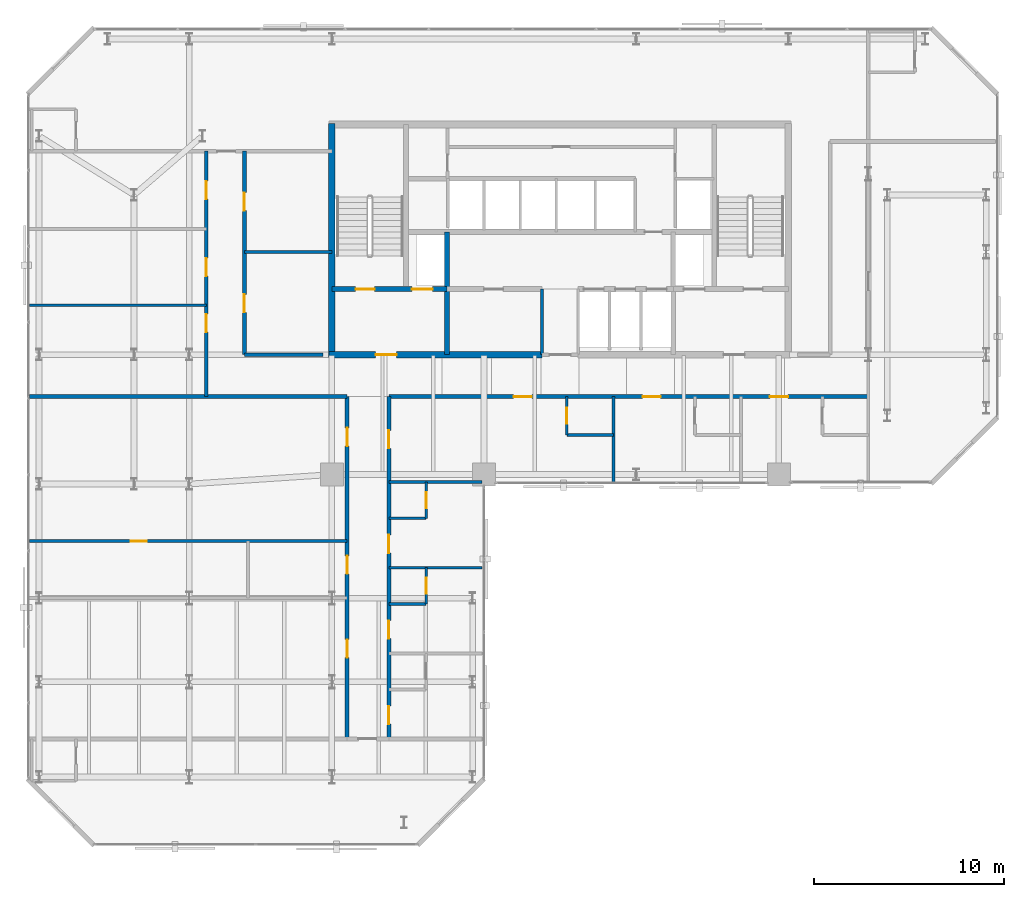
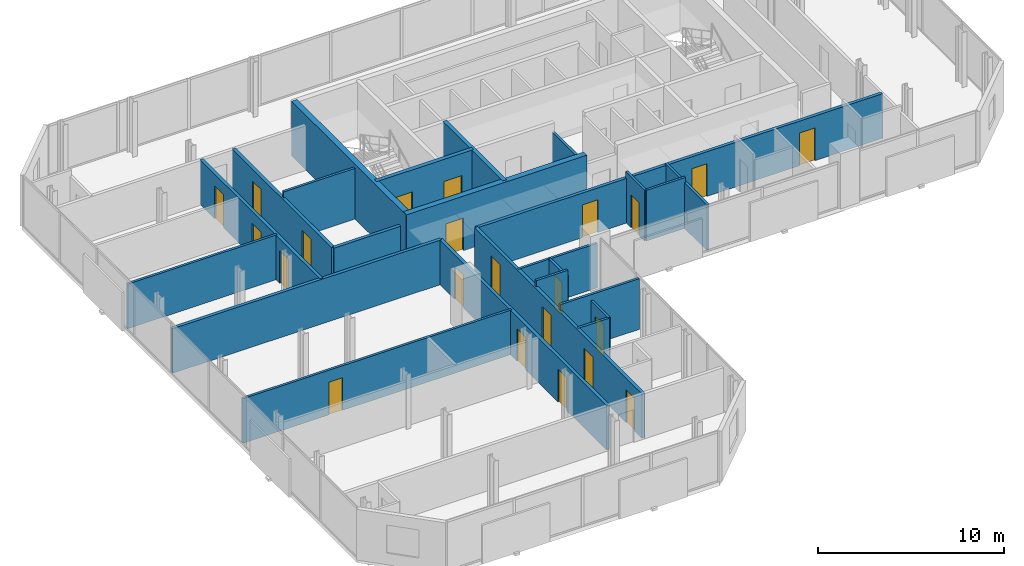
# One storey, part 28 of 32: 24 walls, 22 doors, 22 openings.
"""IFC4 building model written with IfcOpenShell, lengths in metres."""

from ifc_helpers import new_model, si_unit, direction, frame, frame_2d, origin, place, context, subcontext, project, spatial, rectangle, extrude, material, layer, layer_set, type_object, element, fill, save


model = new_model("IFC4")

# Units and contexts
model_context = context("Model", 3, precision=1e-05, world=origin(), true_north=direction((0.0, 1.0)))
body_context = subcontext(model_context, "Body", "Model", "MODEL_VIEW")
ifc_project = project(units=[si_unit("LENGTHUNIT", "METRE"), si_unit("AREAUNIT", "SQUARE_METRE"), si_unit("VOLUMEUNIT", "CUBIC_METRE"), si_unit("PLANEANGLEUNIT", "RADIAN"), si_unit("MASSUNIT", "GRAM", prefix="KILO")], contexts=[model_context])

# Site, building, storey
site_placement = place(None, origin())
site = spatial("IfcSite", under=ifc_project, at=site_placement, CompositionType="ELEMENT")
building_placement = place(site_placement, origin())
building = spatial("IfcBuilding", under=site, at=building_placement, Name="Catumbela Crestline Tower", CompositionType="ELEMENT")
storey_placement = place(building_placement, frame((0.0, 0.0, 136.8)))
storey = spatial("IfcBuildingStorey", under=building, at=storey_placement, Name="L35", CompositionType="ELEMENT", Elevation=136.8)

# Wall
ifc_material_1 = material(Name="Concrete C50/60", Category="concrete")
ifc_layer_1 = layer(ifc_material_1, 0.25, Name="Concrete C50/60")
ifc_layer_set_1 = layer_set([ifc_layer_1], Name="Concrete C50/60")
wall_type_1 = type_object("IfcWallType", Name="CW-250D", PredefinedType="SHEAR", material=ifc_layer_set_1)
wall_1_placement = place(storey_placement, frame((22.05, 30.8, 0.0), z_axis=(0.0, 0.0, 1.0), x_axis=(0.0, 1.0, 0.0)))
element("IfcWall", 1, at=wall_1_placement, inside=storey, type_object=wall_type_1, Name="L35 Structural Core Shear Wall FFW", PredefinedType="SHEAR", context=body_context, shape_type="SweptSolid", body=[
    extrude(rectangle(XDim=6.45, YDim=0.25, at=frame_2d((3.225, 0.0))), origin(), (0.0, 0.0, 1.0), 3.6),
])

# Wall, openings, doors
wall_2_placement = place(storey_placement, frame((16.0, 34.25, 0.0), z_axis=(0.0, 0.0, 1.0), x_axis=(1.0, 0.0, 0.0)))
wall_2 = element("IfcWall", 2, at=wall_2_placement, inside=storey, type_object=wall_type_1, Name="L35 Structural Core Shear Wall ST1S", PredefinedType="SHEAR", context=body_context, shape_type="SweptSolid", body=[
    extrude(rectangle(XDim=6.05, YDim=0.25, at=frame_2d((3.025, 0.0))), origin(), (0.0, 0.0, 1.0), 3.6),
])
opening_1_placement = place(wall_2_placement, frame((1.25, 0.0, 0.0)))
opening_1 = element("IfcOpeningElement", 3, at=opening_1_placement, cuts=wall_2, Name="Opening DF9-100", PredefinedType="OPENING", context=body_context, shape_type="SweptSolid", body=[
    extrude(rectangle(XDim=1.0, YDim=2.15, at=frame_2d((0.5, 1.075))), frame((0.0, 0.135, 0.0), z_axis=(0.0, -1.0, 0.0), x_axis=(1.0, 0.0, 0.0)), (0.0, 0.0, 1.0), 0.27),
])
opening_2_placement = place(wall_2_placement, frame((4.2, 0.0, 0.0)))
opening_2 = element("IfcOpeningElement", 4, at=opening_2_placement, cuts=wall_2, Name="Opening LD-110", PredefinedType="OPENING", context=body_context, shape_type="SweptSolid", body=[
    extrude(rectangle(XDim=1.1, YDim=2.15, at=frame_2d((0.55, 1.075))), frame((0.0, 0.135, 0.0), z_axis=(0.0, -1.0, 0.0), x_axis=(1.0, 0.0, 0.0)), (0.0, 0.0, 1.0), 0.27),
])
ifc_material_2 = material(Name="Stainless steel EN 1.4401", Category="steel")
door_type_1 = type_object("IfcDoorType", Name="DF9-100", OperationType="NOTDEFINED", PredefinedType="DOOR", material=ifc_material_2)
door_1_placement = place(opening_1_placement, origin())
door_1 = element("IfcDoor", 5, at=door_1_placement, inside=storey, type_object=door_type_1, Name="L35 Interior Door DR-L35-ST01", OperationType="SINGLE_SWING_LEFT", OverallHeight=2.15, OverallWidth=1.0, PredefinedType="DOOR", context=body_context, shape_type="SweptSolid", body=[
    extrude(rectangle(XDim=1.0, YDim=2.15, at=frame_2d((0.5, 1.075))), frame((0.0, 0.025, 0.0), z_axis=(0.0, -1.0, 0.0), x_axis=(1.0, 0.0, 0.0)), (0.0, 0.0, 1.0), 0.05),
])
fill(opening_1, door_1)
door_type_2 = type_object("IfcDoorType", Name="LD-110", OperationType="NOTDEFINED", PredefinedType="DOOR", material=ifc_material_2)
door_2_placement = place(opening_2_placement, origin())
door_2 = element("IfcDoor", 6, at=door_2_placement, inside=storey, type_object=door_type_2, Name="L35 Lift Landing Sliding Door FL-01", OperationType="DOUBLE_DOOR_SLIDING", OverallHeight=2.15, OverallWidth=1.1, PredefinedType="DOOR", context=body_context, shape_type="SweptSolid", body=[
    extrude(rectangle(XDim=1.1, YDim=2.15, at=frame_2d((0.55, 1.075))), frame((0.0, 0.025, 0.0), z_axis=(0.0, -1.0, 0.0), x_axis=(1.0, 0.0, 0.0)), (0.0, 0.0, 1.0), 0.05),
])
fill(opening_2, door_2)

# Wall
ifc_layer_2 = layer(ifc_material_1, 0.35, Name="Concrete C50/60")
ifc_layer_set_2 = layer_set([ifc_layer_2], Name="Concrete C50/60")
wall_type_2 = type_object("IfcWallType", Name="CW-350B", PredefinedType="SHEAR", material=ifc_layer_set_2)
wall_3_placement = place(storey_placement, frame((16.0, 30.65, 0.0), z_axis=(0.0, 0.0, 1.0), x_axis=(0.0, 1.0, 0.0)))
element("IfcWall", 7, at=wall_3_placement, inside=storey, type_object=wall_type_2, Name="L35 Structural Core Shear Wall W", PredefinedType="SHEAR", context=body_context, shape_type="SweptSolid", body=[
    extrude(rectangle(XDim=12.3, YDim=0.35, at=frame_2d((6.15, 0.0))), origin(), (0.0, 0.0, 1.0), 3.6),
])

# Wall, opening, door
wall_4_placement = place(storey_placement, frame((15.85, 30.8, 0.0), z_axis=(0.0, 0.0, 1.0), x_axis=(1.0, 0.0, 0.0)))
wall_4 = element("IfcWall", 8, at=wall_4_placement, inside=storey, type_object=wall_type_2, Name="L35 Structural Core Shear Wall SW", PredefinedType="SHEAR", context=body_context, shape_type="SweptSolid", body=[
    extrude(rectangle(XDim=11.2, YDim=0.35, at=frame_2d((5.6, 0.0))), origin(), (0.0, 0.0, 1.0), 3.6),
])
opening_3_placement = place(wall_4_placement, frame((2.45, 0.0, 0.0)))
opening_3 = element("IfcOpeningElement", 9, at=opening_3_placement, cuts=wall_4, Name="Opening DF9-110", PredefinedType="OPENING", context=body_context, shape_type="SweptSolid", body=[
    extrude(rectangle(XDim=1.1, YDim=2.15, at=frame_2d((0.55, 1.075))), frame((0.0, 0.185, 0.0), z_axis=(0.0, -1.0, 0.0), x_axis=(1.0, 0.0, 0.0)), (0.0, 0.0, 1.0), 0.37),
])
door_type_3 = type_object("IfcDoorType", Name="DF9-110", OperationType="NOTDEFINED", PredefinedType="DOOR", material=ifc_material_2)
door_3_placement = place(opening_3_placement, origin())
door_3 = element("IfcDoor", 10, at=door_3_placement, inside=storey, type_object=door_type_3, Name="L35 Interior Door DR-L35-FFW-S", OperationType="SINGLE_SWING_LEFT", OverallHeight=2.15, OverallWidth=1.1, PredefinedType="DOOR", context=body_context, shape_type="SweptSolid", body=[
    extrude(rectangle(XDim=1.1, YDim=2.15, at=frame_2d((0.55, 1.075))), frame((0.0, 0.025, 0.0), z_axis=(0.0, -1.0, 0.0), x_axis=(1.0, 0.0, 0.0)), (0.0, 0.0, 1.0), 0.05),
])
fill(opening_3, door_3)

# Wall
ifc_material_3 = material(Name="Acoustic gypsum and mineral-wool partition")
ifc_layer_3 = layer(ifc_material_3, 0.2, Name="Acoustic gypsum and mineral-wool partition")
ifc_layer_set_3 = layer_set([ifc_layer_3], Name="Acoustic gypsum and mineral-wool partition")
wall_type_3 = type_object("IfcWallType", Name="WC-200", PredefinedType="PARTITIONING", material=ifc_layer_set_3)
wall_5_placement = place(storey_placement, frame((0.1, 28.6, 0.0), z_axis=(0.0, 0.0, 1.0), x_axis=(1.0, 0.0, 0.0)))
element("IfcWall", 11, at=wall_5_placement, inside=storey, type_object=wall_type_3, Name="L35 Interior Partition PW-L35-Z2CW-N1", PredefinedType="PARTITIONING", context=body_context, shape_type="SweptSolid", body=[
    extrude(rectangle(XDim=16.7, YDim=0.2, at=frame_2d((8.35, 0.0))), origin(), (0.0, 0.0, 1.0), 2.93),
])

# Wall, openings, doors
wall_6_placement = place(storey_placement, frame((19.0, 28.6, 0.0), z_axis=(0.0, 0.0, 1.0), x_axis=(1.0, 0.0, 0.0)))
wall_6 = element("IfcWall", 12, at=wall_6_placement, inside=storey, type_object=wall_type_3, Name="L35 Interior Partition PW-L35-Z2CW-N2", PredefinedType="PARTITIONING", context=body_context, shape_type="SweptSolid", body=[
    extrude(rectangle(XDim=25.2, YDim=0.2, at=frame_2d((12.6, 0.0))), origin(), (0.0, 0.0, 1.0), 2.93),
])
opening_4_placement = place(wall_6_placement, frame((6.5609, 0.0, 0.0)))
opening_4 = element("IfcOpeningElement", 13, at=opening_4_placement, cuts=wall_6, Name="Opening DF6-095", PredefinedType="OPENING", context=body_context, shape_type="SweptSolid", body=[
    extrude(rectangle(XDim=0.95, YDim=2.15, at=frame_2d((0.475, 1.075))), frame((0.0, 0.11, 0.0), z_axis=(0.0, -1.0, 0.0), x_axis=(1.0, 0.0, 0.0)), (0.0, 0.0, 1.0), 0.22),
])
opening_5_placement = place(wall_6_placement, frame((13.3321, 0.0, 0.0)))
opening_5 = element("IfcOpeningElement", 14, at=opening_5_placement, cuts=wall_6, Name="Opening DF6-095", PredefinedType="OPENING", context=body_context, shape_type="SweptSolid", body=[
    extrude(rectangle(XDim=0.95, YDim=2.15, at=frame_2d((0.475, 1.075))), frame((0.0, 0.11, 0.0), z_axis=(0.0, -1.0, 0.0), x_axis=(1.0, 0.0, 0.0)), (0.0, 0.0, 1.0), 0.22),
])
opening_6_placement = place(wall_6_placement, frame((20.0321, 0.0, 0.0)))
opening_6 = element("IfcOpeningElement", 15, at=opening_6_placement, cuts=wall_6, Name="Opening DF6-095", PredefinedType="OPENING", context=body_context, shape_type="SweptSolid", body=[
    extrude(rectangle(XDim=0.95, YDim=2.15, at=frame_2d((0.475, 1.075))), frame((0.0, 0.11, 0.0), z_axis=(0.0, -1.0, 0.0), x_axis=(1.0, 0.0, 0.0)), (0.0, 0.0, 1.0), 0.22),
])
ifc_material_4 = material(Name="Aluminium alloy AW-6060-T66", Category="aluminium")
door_type_4 = type_object("IfcDoorType", Name="DF6-095", OperationType="NOTDEFINED", PredefinedType="DOOR", material=ifc_material_4)
door_4_placement = place(opening_4_placement, origin())
door_4 = element("IfcDoor", 16, at=door_4_placement, inside=storey, type_object=door_type_4, Name="L35 Interior Door DR-L35-SS1-ENT", OperationType="SINGLE_SWING_RIGHT", OverallHeight=2.15, OverallWidth=0.95, PredefinedType="DOOR", context=body_context, shape_type="SweptSolid", body=[
    extrude(rectangle(XDim=0.95, YDim=2.15, at=frame_2d((0.475, 1.075))), frame((0.0, 0.025, 0.0), z_axis=(0.0, -1.0, 0.0), x_axis=(1.0, 0.0, 0.0)), (0.0, 0.0, 1.0), 0.05),
])
fill(opening_4, door_4)
door_5_placement = place(opening_5_placement, origin())
door_5 = element("IfcDoor", 17, at=door_5_placement, inside=storey, type_object=door_type_4, Name="L35 Interior Door DR-L35-SS2-ENT", OperationType="SINGLE_SWING_LEFT", OverallHeight=2.15, OverallWidth=0.95, PredefinedType="DOOR", context=body_context, shape_type="SweptSolid", body=[
    extrude(rectangle(XDim=0.95, YDim=2.15, at=frame_2d((0.475, 1.075))), frame((0.0, 0.025, 0.0), z_axis=(0.0, -1.0, 0.0), x_axis=(1.0, 0.0, 0.0)), (0.0, 0.0, 1.0), 0.05),
])
fill(opening_5, door_5)
door_6_placement = place(opening_6_placement, origin())
door_6 = element("IfcDoor", 18, at=door_6_placement, inside=storey, type_object=door_type_4, Name="L35 Interior Door DR-L35-SS3-ENT", OperationType="SINGLE_SWING_RIGHT", OverallHeight=2.15, OverallWidth=0.95, PredefinedType="DOOR", context=body_context, shape_type="SweptSolid", body=[
    extrude(rectangle(XDim=0.95, YDim=2.15, at=frame_2d((0.475, 1.075))), frame((0.0, 0.025, 0.0), z_axis=(0.0, -1.0, 0.0), x_axis=(1.0, 0.0, 0.0)), (0.0, 0.0, 1.0), 0.05),
])
fill(opening_6, door_6)

# Wall
wall_7_placement = place(storey_placement, frame((11.4, 30.8, 0.0), z_axis=(0.0, 0.0, 1.0), x_axis=(1.0, 0.0, 0.0)))
element("IfcWall", 19, at=wall_7_placement, inside=storey, type_object=wall_type_3, Name="L35 Interior Partition PW-L35-Z2CW-N3", PredefinedType="PARTITIONING", context=body_context, shape_type="SweptSolid", body=[
    extrude(rectangle(XDim=4.13, YDim=0.2, at=frame_2d((2.065, 0.0))), origin(), (0.0, 0.0, 1.0), 2.93),
])

# Wall, openings, doors
wall_8_placement = place(storey_placement, frame((16.8, 10.6, 0.0), z_axis=(0.0, 0.0, 1.0), x_axis=(0.0, 1.0, 0.0)))
wall_8 = element("IfcWall", 20, at=wall_8_placement, inside=storey, type_object=wall_type_3, Name="L35 Interior Partition PW-L35-STWC-ENT", PredefinedType="PARTITIONING", context=body_context, shape_type="SweptSolid", body=[
    extrude(rectangle(XDim=18.0, YDim=0.2, at=frame_2d((9.0, 0.0))), origin(), (0.0, 0.0, 1.0), 2.93),
])
opening_7_placement = place(wall_8_placement, frame((8.6794, 0.0, 0.0)))
opening_7 = element("IfcOpeningElement", 21, at=opening_7_placement, cuts=wall_8, Name="Opening DF6-095", PredefinedType="OPENING", context=body_context, shape_type="SweptSolid", body=[
    extrude(rectangle(XDim=0.95, YDim=2.15, at=frame_2d((0.475, 1.075))), frame((0.0, 0.11, 0.0), z_axis=(0.0, -1.0, 0.0), x_axis=(1.0, 0.0, 0.0)), (0.0, 0.0, 1.0), 0.22),
])
opening_8_placement = place(wall_8_placement, frame((15.3987, 0.0, 0.0)))
opening_8 = element("IfcOpeningElement", 22, at=opening_8_placement, cuts=wall_8, Name="Opening DF6-095", PredefinedType="OPENING", context=body_context, shape_type="SweptSolid", body=[
    extrude(rectangle(XDim=0.95, YDim=2.15, at=frame_2d((0.475, 1.075))), frame((0.0, 0.11, 0.0), z_axis=(0.0, -1.0, 0.0), x_axis=(1.0, 0.0, 0.0)), (0.0, 0.0, 1.0), 0.22),
])
opening_9_placement = place(wall_8_placement, frame((4.2733, 0.0, 0.0)))
opening_9 = element("IfcOpeningElement", 23, at=opening_9_placement, cuts=wall_8, Name="Opening DF6-095", PredefinedType="OPENING", context=body_context, shape_type="SweptSolid", body=[
    extrude(rectangle(XDim=0.95, YDim=2.15, at=frame_2d((0.475, 1.075))), frame((0.0, 0.11, 0.0), z_axis=(0.0, -1.0, 0.0), x_axis=(1.0, 0.0, 0.0)), (0.0, 0.0, 1.0), 0.22),
])
door_7_placement = place(opening_7_placement, origin())
door_7 = element("IfcDoor", 24, at=door_7_placement, inside=storey, type_object=door_type_4, Name="L35 Interior Door DR-L35-STWC-ENT", OperationType="SINGLE_SWING_RIGHT", OverallHeight=2.15, OverallWidth=0.95, PredefinedType="DOOR", context=body_context, shape_type="SweptSolid", body=[
    extrude(rectangle(XDim=0.95, YDim=2.15, at=frame_2d((0.475, 1.075))), frame((0.0, 0.025, 0.0), z_axis=(0.0, -1.0, 0.0), x_axis=(1.0, 0.0, 0.0)), (0.0, 0.0, 1.0), 0.05),
])
fill(opening_7, door_7)
door_8_placement = place(opening_8_placement, origin())
door_8 = element("IfcDoor", 25, at=door_8_placement, inside=storey, type_object=door_type_4, Name="L35 Interior Door DR-L35-HKP-ENT", OperationType="SINGLE_SWING_RIGHT", OverallHeight=2.15, OverallWidth=0.95, PredefinedType="DOOR", context=body_context, shape_type="SweptSolid", body=[
    extrude(rectangle(XDim=0.95, YDim=2.15, at=frame_2d((0.475, 1.075))), frame((0.0, 0.025, 0.0), z_axis=(0.0, -1.0, 0.0), x_axis=(1.0, 0.0, 0.0)), (0.0, 0.0, 1.0), 0.05),
])
fill(opening_8, door_8)
door_9_placement = place(opening_9_placement, origin())
door_9 = element("IfcDoor", 26, at=door_9_placement, inside=storey, type_object=door_type_4, Name="L35 Interior Door DR-L35-WEXT-ENT", OperationType="SINGLE_SWING_RIGHT", OverallHeight=2.15, OverallWidth=0.95, PredefinedType="DOOR", context=body_context, shape_type="SweptSolid", body=[
    extrude(rectangle(XDim=0.95, YDim=2.15, at=frame_2d((0.475, 1.075))), frame((0.0, 0.025, 0.0), z_axis=(0.0, -1.0, 0.0), x_axis=(1.0, 0.0, 0.0)), (0.0, 0.0, 1.0), 0.05),
])
fill(opening_9, door_9)

wall_9_placement = place(storey_placement, frame((9.4, 28.6, 0.0), z_axis=(0.0, 0.0, 1.0), x_axis=(0.0, 1.0, 0.0)))
wall_9 = element("IfcWall", 27, at=wall_9_placement, inside=storey, type_object=wall_type_3, Name="L35 Interior Partition PW-L35-Z2DN1-ENT", PredefinedType="PARTITIONING", context=body_context, shape_type="SweptSolid", body=[
    extrude(rectangle(XDim=12.9, YDim=0.2, at=frame_2d((6.45, 0.0))), origin(), (0.0, 0.0, 1.0), 2.93),
])
opening_10_placement = place(wall_9_placement, frame((3.3831, 0.0, 0.0)))
opening_10 = element("IfcOpeningElement", 28, at=opening_10_placement, cuts=wall_9, Name="Opening DF6-095", PredefinedType="OPENING", context=body_context, shape_type="SweptSolid", body=[
    extrude(rectangle(XDim=0.95, YDim=2.15, at=frame_2d((0.475, 1.075))), frame((0.0, 0.11, 0.0), z_axis=(0.0, -1.0, 0.0), x_axis=(1.0, 0.0, 0.0)), (0.0, 0.0, 1.0), 0.22),
])
opening_11_placement = place(wall_9_placement, frame((6.325, 0.0, 0.0)))
opening_11 = element("IfcOpeningElement", 29, at=opening_11_placement, cuts=wall_9, Name="Opening DF6-095", PredefinedType="OPENING", context=body_context, shape_type="SweptSolid", body=[
    extrude(rectangle(XDim=0.95, YDim=2.15, at=frame_2d((0.475, 1.075))), frame((0.0, 0.11, 0.0), z_axis=(0.0, -1.0, 0.0), x_axis=(1.0, 0.0, 0.0)), (0.0, 0.0, 1.0), 0.22),
])
opening_12_placement = place(wall_9_placement, frame((10.375, 0.0, 0.0)))
opening_12 = element("IfcOpeningElement", 30, at=opening_12_placement, cuts=wall_9, Name="Opening DF6-095", PredefinedType="OPENING", context=body_context, shape_type="SweptSolid", body=[
    extrude(rectangle(XDim=0.95, YDim=2.15, at=frame_2d((0.475, 1.075))), frame((0.0, 0.11, 0.0), z_axis=(0.0, -1.0, 0.0), x_axis=(1.0, 0.0, 0.0)), (0.0, 0.0, 1.0), 0.22),
])
door_10_placement = place(opening_10_placement, origin())
door_10 = element("IfcDoor", 31, at=door_10_placement, inside=storey, type_object=door_type_4, Name="L35 Interior Door DR-L35-Z2DN1-ENT", OperationType="SINGLE_SWING_RIGHT", OverallHeight=2.15, OverallWidth=0.95, PredefinedType="DOOR", context=body_context, shape_type="SweptSolid", body=[
    extrude(rectangle(XDim=0.95, YDim=2.15, at=frame_2d((0.475, 1.075))), frame((0.0, 0.025, 0.0), z_axis=(0.0, -1.0, 0.0), x_axis=(1.0, 0.0, 0.0)), (0.0, 0.0, 1.0), 0.05),
])
fill(opening_10, door_10)
door_11_placement = place(opening_11_placement, origin())
door_11 = element("IfcDoor", 32, at=door_11_placement, inside=storey, type_object=door_type_4, Name="L35 Interior Door DR-L35-Z2ST1-ENT", OperationType="SINGLE_SWING_LEFT", OverallHeight=2.15, OverallWidth=0.95, PredefinedType="DOOR", context=body_context, shape_type="SweptSolid", body=[
    extrude(rectangle(XDim=0.95, YDim=2.15, at=frame_2d((0.475, 1.075))), frame((0.0, 0.025, 0.0), z_axis=(0.0, -1.0, 0.0), x_axis=(1.0, 0.0, 0.0)), (0.0, 0.0, 1.0), 0.05),
])
fill(opening_11, door_11)
door_12_placement = place(opening_12_placement, origin())
door_12 = element("IfcDoor", 33, at=door_12_placement, inside=storey, type_object=door_type_4, Name="L35 Interior Door DR-L35-Z2ST2-ENT", OperationType="SINGLE_SWING_RIGHT", OverallHeight=2.15, OverallWidth=0.95, PredefinedType="DOOR", context=body_context, shape_type="SweptSolid", body=[
    extrude(rectangle(XDim=0.95, YDim=2.15, at=frame_2d((0.475, 1.075))), frame((0.0, 0.025, 0.0), z_axis=(0.0, -1.0, 0.0), x_axis=(1.0, 0.0, 0.0)), (0.0, 0.0, 1.0), 0.05),
])
fill(opening_12, door_12)

wall_10_placement = place(storey_placement, frame((11.4, 30.8, 0.0), z_axis=(0.0, 0.0, 1.0), x_axis=(0.0, 1.0, 0.0)))
wall_10 = element("IfcWall", 34, at=wall_10_placement, inside=storey, type_object=wall_type_3, Name="L35 Interior Partition PW-L35-Z2RC1-ENT", PredefinedType="PARTITIONING", context=body_context, shape_type="SweptSolid", body=[
    extrude(rectangle(XDim=10.7, YDim=0.2, at=frame_2d((5.35, 0.0))), origin(), (0.0, 0.0, 1.0), 2.93),
])
opening_13_placement = place(wall_10_placement, frame((2.225, 0.0, 0.0)))
opening_13 = element("IfcOpeningElement", 35, at=opening_13_placement, cuts=wall_10, Name="Opening DF6-095", PredefinedType="OPENING", context=body_context, shape_type="SweptSolid", body=[
    extrude(rectangle(XDim=0.95, YDim=2.15, at=frame_2d((0.475, 1.075))), frame((0.0, 0.11, 0.0), z_axis=(0.0, -1.0, 0.0), x_axis=(1.0, 0.0, 0.0)), (0.0, 0.0, 1.0), 0.22),
])
opening_14_placement = place(wall_10_placement, frame((7.575, 0.0, 0.0)))
opening_14 = element("IfcOpeningElement", 36, at=opening_14_placement, cuts=wall_10, Name="Opening DF6-095", PredefinedType="OPENING", context=body_context, shape_type="SweptSolid", body=[
    extrude(rectangle(XDim=0.95, YDim=2.15, at=frame_2d((0.475, 1.075))), frame((0.0, 0.11, 0.0), z_axis=(0.0, -1.0, 0.0), x_axis=(1.0, 0.0, 0.0)), (0.0, 0.0, 1.0), 0.22),
])
door_13_placement = place(opening_13_placement, origin())
door_13 = element("IfcDoor", 37, at=door_13_placement, inside=storey, type_object=door_type_4, Name="L35 Interior Door DR-L35-Z2RC1-ENT", OperationType="SINGLE_SWING_LEFT", OverallHeight=2.15, OverallWidth=0.95, PredefinedType="DOOR", context=body_context, shape_type="SweptSolid", body=[
    extrude(rectangle(XDim=0.95, YDim=2.15, at=frame_2d((0.475, 1.075))), frame((0.0, 0.025, 0.0), z_axis=(0.0, -1.0, 0.0), x_axis=(1.0, 0.0, 0.0)), (0.0, 0.0, 1.0), 0.05),
])
fill(opening_13, door_13)
door_14_placement = place(opening_14_placement, origin())
door_14 = element("IfcDoor", 38, at=door_14_placement, inside=storey, type_object=door_type_4, Name="L35 Interior Door DR-L35-Z2KT1-ENT", OperationType="SINGLE_SWING_LEFT", OverallHeight=2.15, OverallWidth=0.95, PredefinedType="DOOR", context=body_context, shape_type="SweptSolid", body=[
    extrude(rectangle(XDim=0.95, YDim=2.15, at=frame_2d((0.475, 1.075))), frame((0.0, 0.025, 0.0), z_axis=(0.0, -1.0, 0.0), x_axis=(1.0, 0.0, 0.0)), (0.0, 0.0, 1.0), 0.05),
])
fill(opening_14, door_14)

wall_11_placement = place(storey_placement, frame((19.0, 10.6, 0.0), z_axis=(0.0, 0.0, 1.0), x_axis=(0.0, 1.0, 0.0)))
wall_11 = element("IfcWall", 39, at=wall_11_placement, inside=storey, type_object=wall_type_3, Name="L35 Interior Partition PW-L35-SW1-ENT", PredefinedType="PARTITIONING", context=body_context, shape_type="SweptSolid", body=[
    extrude(rectangle(XDim=18.0, YDim=0.2, at=frame_2d((9.0, 0.0))), origin(), (0.0, 0.0, 1.0), 2.93),
])
opening_15_placement = place(wall_11_placement, frame((0.7725, 0.0, 0.0)))
opening_15 = element("IfcOpeningElement", 40, at=opening_15_placement, cuts=wall_11, Name="Opening DF6-095", PredefinedType="OPENING", context=body_context, shape_type="SweptSolid", body=[
    extrude(rectangle(XDim=0.95, YDim=2.15, at=frame_2d((0.475, 1.075))), frame((0.0, 0.11, 0.0), z_axis=(0.0, -1.0, 0.0), x_axis=(1.0, 0.0, 0.0)), (0.0, 0.0, 1.0), 0.22),
])
opening_16_placement = place(wall_11_placement, frame((5.2725, 0.0, 0.0)))
opening_16 = element("IfcOpeningElement", 41, at=opening_16_placement, cuts=wall_11, Name="Opening DF6-095", PredefinedType="OPENING", context=body_context, shape_type="SweptSolid", body=[
    extrude(rectangle(XDim=0.95, YDim=2.15, at=frame_2d((0.475, 1.075))), frame((0.0, 0.11, 0.0), z_axis=(0.0, -1.0, 0.0), x_axis=(1.0, 0.0, 0.0)), (0.0, 0.0, 1.0), 0.22),
])
opening_17_placement = place(wall_11_placement, frame((9.7725, 0.0, 0.0)))
opening_17 = element("IfcOpeningElement", 42, at=opening_17_placement, cuts=wall_11, Name="Opening DF6-095", PredefinedType="OPENING", context=body_context, shape_type="SweptSolid", body=[
    extrude(rectangle(XDim=0.95, YDim=2.15, at=frame_2d((0.475, 1.075))), frame((0.0, 0.11, 0.0), z_axis=(0.0, -1.0, 0.0), x_axis=(1.0, 0.0, 0.0)), (0.0, 0.0, 1.0), 0.22),
])
opening_18_placement = place(wall_11_placement, frame((15.275, 0.0, 0.0)))
opening_18 = element("IfcOpeningElement", 43, at=opening_18_placement, cuts=wall_11, Name="Opening DF6-095", PredefinedType="OPENING", context=body_context, shape_type="SweptSolid", body=[
    extrude(rectangle(XDim=0.95, YDim=2.15, at=frame_2d((0.475, 1.075))), frame((0.0, 0.11, 0.0), z_axis=(0.0, -1.0, 0.0), x_axis=(1.0, 0.0, 0.0)), (0.0, 0.0, 1.0), 0.22),
])
door_15_placement = place(opening_15_placement, origin())
door_15 = element("IfcDoor", 44, at=door_15_placement, inside=storey, type_object=door_type_4, Name="L35 Interior Door DR-L35-SW1-ENT", OperationType="SINGLE_SWING_RIGHT", OverallHeight=2.15, OverallWidth=0.95, PredefinedType="DOOR", context=body_context, shape_type="SweptSolid", body=[
    extrude(rectangle(XDim=0.95, YDim=2.15, at=frame_2d((0.475, 1.075))), frame((0.0, 0.025, 0.0), z_axis=(0.0, -1.0, 0.0), x_axis=(1.0, 0.0, 0.0)), (0.0, 0.0, 1.0), 0.05),
])
fill(opening_15, door_15)
door_16_placement = place(opening_16_placement, origin())
door_16 = element("IfcDoor", 45, at=door_16_placement, inside=storey, type_object=door_type_4, Name="L35 Interior Door DR-L35-SW2-ENT", OperationType="SINGLE_SWING_LEFT", OverallHeight=2.15, OverallWidth=0.95, PredefinedType="DOOR", context=body_context, shape_type="SweptSolid", body=[
    extrude(rectangle(XDim=0.95, YDim=2.15, at=frame_2d((0.475, 1.075))), frame((0.0, 0.025, 0.0), z_axis=(0.0, -1.0, 0.0), x_axis=(1.0, 0.0, 0.0)), (0.0, 0.0, 1.0), 0.05),
])
fill(opening_16, door_16)
door_17_placement = place(opening_17_placement, origin())
door_17 = element("IfcDoor", 46, at=door_17_placement, inside=storey, type_object=door_type_4, Name="L35 Interior Door DR-L35-SW3-ENT", OperationType="SINGLE_SWING_RIGHT", OverallHeight=2.15, OverallWidth=0.95, PredefinedType="DOOR", context=body_context, shape_type="SweptSolid", body=[
    extrude(rectangle(XDim=0.95, YDim=2.15, at=frame_2d((0.475, 1.075))), frame((0.0, 0.025, 0.0), z_axis=(0.0, -1.0, 0.0), x_axis=(1.0, 0.0, 0.0)), (0.0, 0.0, 1.0), 0.05),
])
fill(opening_17, door_17)
door_18_placement = place(opening_18_placement, origin())
door_18 = element("IfcDoor", 47, at=door_18_placement, inside=storey, type_object=door_type_4, Name="L35 Interior Door DR-L35-SW4-ENT", OperationType="SINGLE_SWING_LEFT", OverallHeight=2.15, OverallWidth=0.95, PredefinedType="DOOR", context=body_context, shape_type="SweptSolid", body=[
    extrude(rectangle(XDim=0.95, YDim=2.15, at=frame_2d((0.475, 1.075))), frame((0.0, 0.025, 0.0), z_axis=(0.0, -1.0, 0.0), x_axis=(1.0, 0.0, 0.0)), (0.0, 0.0, 1.0), 0.05),
])
fill(opening_18, door_18)

# Wall, opening, door
ifc_layer_4 = layer(ifc_material_3, 0.15, Name="Acoustic gypsum and mineral-wool partition")
ifc_layer_set_4 = layer_set([ifc_layer_4], Name="Acoustic gypsum and mineral-wool partition")
wall_type_4 = type_object("IfcWallType", Name="WP-150", PredefinedType="PARTITIONING", material=ifc_layer_set_4)
wall_12_placement = place(storey_placement, frame((0.1, 21.0, 0.0), z_axis=(0.0, 0.0, 1.0), x_axis=(1.0, 0.0, 0.0)))
wall_12 = element("IfcWall", 48, at=wall_12_placement, inside=storey, type_object=wall_type_4, Name="L35 Interior Partition PW-L35-Z2W-2", PredefinedType="PARTITIONING", context=body_context, shape_type="SweptSolid", body=[
    extrude(rectangle(XDim=16.7, YDim=0.15, at=frame_2d((8.35, 0.0))), origin(), (0.0, 0.0, 1.0), 2.93),
])
opening_19_placement = place(wall_12_placement, frame((5.325, 0.0, 0.0)))
opening_19 = element("IfcOpeningElement", 49, at=opening_19_placement, cuts=wall_12, Name="Opening DI-085", PredefinedType="OPENING", context=body_context, shape_type="SweptSolid", body=[
    extrude(rectangle(XDim=0.85, YDim=2.15, at=frame_2d((0.425, 1.075))), frame((0.0, 0.085, 0.0), z_axis=(0.0, -1.0, 0.0), x_axis=(1.0, 0.0, 0.0)), (0.0, 0.0, 1.0), 0.17),
])
door_type_5 = type_object("IfcDoorType", Name="DI-085", OperationType="NOTDEFINED", PredefinedType="DOOR", material=ifc_material_4)
door_19_placement = place(opening_19_placement, origin())
door_19 = element("IfcDoor", 50, at=door_19_placement, inside=storey, type_object=door_type_5, Name="L35 Interior Door DR-L35-STSTO", OperationType="SINGLE_SWING_LEFT", OverallHeight=2.15, OverallWidth=0.85, PredefinedType="DOOR", context=body_context, shape_type="SweptSolid", body=[
    extrude(rectangle(XDim=0.85, YDim=2.15, at=frame_2d((0.425, 1.075))), frame((0.0, 0.025, 0.0), z_axis=(0.0, -1.0, 0.0), x_axis=(1.0, 0.0, 0.0)), (0.0, 0.0, 1.0), 0.05),
])
fill(opening_19, door_19)

# Walls
wall_13_placement = place(storey_placement, frame((0.1, 33.4, 0.0), z_axis=(0.0, 0.0, 1.0), x_axis=(1.0, 0.0, 0.0)))
element("IfcWall", 51, at=wall_13_placement, inside=storey, type_object=wall_type_4, Name="L35 Interior Partition PW-L35-Z2G4-1", PredefinedType="PARTITIONING", context=body_context, shape_type="SweptSolid", body=[
    extrude(rectangle(XDim=9.3, YDim=0.15, at=frame_2d((4.65, 0.0))), origin(), (0.0, 0.0, 1.0), 2.93),
])
wall_14_placement = place(storey_placement, frame((11.4, 36.2, 0.0), z_axis=(0.0, 0.0, 1.0), x_axis=(1.0, 0.0, 0.0)))
element("IfcWall", 52, at=wall_14_placement, inside=storey, type_object=wall_type_4, Name="L35 Interior Partition PW-L35-Z2G4-3", PredefinedType="PARTITIONING", context=body_context, shape_type="SweptSolid", body=[
    extrude(rectangle(XDim=4.6, YDim=0.15, at=frame_2d((2.3, 0.0))), origin(), (0.0, 0.0, 1.0), 3.33),
])
wall_15_placement = place(storey_placement, frame((19.0, 17.7, 0.0), z_axis=(0.0, 0.0, 1.0), x_axis=(1.0, 0.0, 0.0)))
element("IfcWall", 53, at=wall_15_placement, inside=storey, type_object=wall_type_4, Name="L35 Interior Partition PW-L35-SW2-BSW", PredefinedType="PARTITIONING", context=body_context, shape_type="SweptSolid", body=[
    extrude(rectangle(XDim=1.96, YDim=0.15, at=frame_2d((0.98, 0.0))), origin(), (0.0, 0.0, 1.0), 2.93),
])

# Wall, opening, door
wall_16_placement = place(storey_placement, frame((20.96, 17.7, 0.0), z_axis=(0.0, 0.0, 1.0), x_axis=(0.0, 1.0, 0.0)))
wall_16 = element("IfcWall", 54, at=wall_16_placement, inside=storey, type_object=wall_type_4, Name="L35 Interior Partition PW-L35-SW2-BEW", PredefinedType="PARTITIONING", context=body_context, shape_type="SweptSolid", body=[
    extrude(rectangle(XDim=1.9, YDim=0.15, at=frame_2d((0.95, 0.0))), origin(), (0.0, 0.0, 1.0), 2.93),
])
opening_20_placement = place(wall_16_placement, frame((0.525, 0.0, 0.0)))
opening_20 = element("IfcOpeningElement", 55, at=opening_20_placement, cuts=wall_16, Name="Opening DI-085", PredefinedType="OPENING", context=body_context, shape_type="SweptSolid", body=[
    extrude(rectangle(XDim=0.85, YDim=2.15, at=frame_2d((0.425, 1.075))), frame((0.0, 0.085, 0.0), z_axis=(0.0, -1.0, 0.0), x_axis=(1.0, 0.0, 0.0)), (0.0, 0.0, 1.0), 0.17),
])
door_20_placement = place(opening_20_placement, origin())
door_20 = element("IfcDoor", 56, at=door_20_placement, inside=storey, type_object=door_type_5, Name="L35 Interior Door DR-L35-SW2-BTH", OperationType="SINGLE_SWING_LEFT", OverallHeight=2.15, OverallWidth=0.85, PredefinedType="DOOR", context=body_context, shape_type="SweptSolid", body=[
    extrude(rectangle(XDim=0.85, YDim=2.15, at=frame_2d((0.425, 1.075))), frame((0.0, 0.025, 0.0), z_axis=(0.0, -1.0, 0.0), x_axis=(1.0, 0.0, 0.0)), (0.0, 0.0, 1.0), 0.05),
])
fill(opening_20, door_20)

# Walls
wall_17_placement = place(storey_placement, frame((19.0, 19.6, 0.0), z_axis=(0.0, 0.0, 1.0), x_axis=(1.0, 0.0, 0.0)))
element("IfcWall", 57, at=wall_17_placement, inside=storey, type_object=wall_type_4, Name="L35 Interior Partition PW-L35-SW2-BCL-1", PredefinedType="PARTITIONING", context=body_context, shape_type="SweptSolid", body=[
    extrude(rectangle(XDim=4.9, YDim=0.15, at=frame_2d((2.45, 0.0))), origin(), (0.0, 0.0, 1.0), 3.33),
])
wall_18_placement = place(storey_placement, frame((19.0, 22.2, 0.0), z_axis=(0.0, 0.0, 1.0), x_axis=(1.0, 0.0, 0.0)))
element("IfcWall", 58, at=wall_18_placement, inside=storey, type_object=wall_type_4, Name="L35 Interior Partition PW-L35-SW3-BSW", PredefinedType="PARTITIONING", context=body_context, shape_type="SweptSolid", body=[
    extrude(rectangle(XDim=1.96, YDim=0.15, at=frame_2d((0.98, 0.0))), origin(), (0.0, 0.0, 1.0), 3.33),
])

# Wall, opening, door
wall_19_placement = place(storey_placement, frame((20.96, 22.2, 0.0), z_axis=(0.0, 0.0, 1.0), x_axis=(0.0, 1.0, 0.0)))
wall_19 = element("IfcWall", 59, at=wall_19_placement, inside=storey, type_object=wall_type_4, Name="L35 Interior Partition PW-L35-SW3-BEW", PredefinedType="PARTITIONING", context=body_context, shape_type="SweptSolid", body=[
    extrude(rectangle(XDim=1.9, YDim=0.15, at=frame_2d((0.95, 0.0))), origin(), (0.0, 0.0, 1.0), 2.93),
])
opening_21_placement = place(wall_19_placement, frame((0.525, 0.0, 0.0)))
opening_21 = element("IfcOpeningElement", 60, at=opening_21_placement, cuts=wall_19, Name="Opening DI-085", PredefinedType="OPENING", context=body_context, shape_type="SweptSolid", body=[
    extrude(rectangle(XDim=0.85, YDim=2.15, at=frame_2d((0.425, 1.075))), frame((0.0, 0.085, 0.0), z_axis=(0.0, -1.0, 0.0), x_axis=(1.0, 0.0, 0.0)), (0.0, 0.0, 1.0), 0.17),
])
door_21_placement = place(opening_21_placement, origin())
door_21 = element("IfcDoor", 61, at=door_21_placement, inside=storey, type_object=door_type_5, Name="L35 Interior Door DR-L35-SW3-BTH", OperationType="SINGLE_SWING_LEFT", OverallHeight=2.15, OverallWidth=0.85, PredefinedType="DOOR", context=body_context, shape_type="SweptSolid", body=[
    extrude(rectangle(XDim=0.85, YDim=2.15, at=frame_2d((0.425, 1.075))), frame((0.0, 0.025, 0.0), z_axis=(0.0, -1.0, 0.0), x_axis=(1.0, 0.0, 0.0)), (0.0, 0.0, 1.0), 0.05),
])
fill(opening_21, door_21)

# Walls
wall_20_placement = place(storey_placement, frame((19.0, 24.1, 0.0), z_axis=(0.0, 0.0, 1.0), x_axis=(1.0, 0.0, 0.0)))
element("IfcWall", 62, at=wall_20_placement, inside=storey, type_object=wall_type_4, Name="L35 Interior Partition PW-L35-SW3-BCL-1", PredefinedType="PARTITIONING", context=body_context, shape_type="SweptSolid", body=[
    extrude(rectangle(XDim=4.9, YDim=0.15, at=frame_2d((2.45, 0.0))), origin(), (0.0, 0.0, 1.0), 2.93),
])
wall_21_placement = place(storey_placement, frame((28.352, 26.576, 0.0), z_axis=(0.0, 0.0, 1.0), x_axis=(1.0, 0.0, 0.0)))
element("IfcWall", 63, at=wall_21_placement, inside=storey, type_object=wall_type_4, Name="L35 Interior Partition PW-L35-SS1-BHW", PredefinedType="PARTITIONING", context=body_context, shape_type="SweptSolid", body=[
    extrude(rectangle(XDim=2.448, YDim=0.15, at=frame_2d((1.224, 0.0))), origin(), (0.0, 0.0, 1.0), 3.33),
])

# Wall, opening, door
wall_22_placement = place(storey_placement, frame((28.352, 26.576, 0.0), z_axis=(0.0, 0.0, 1.0), x_axis=(0.0, 1.0, 0.0)))
wall_22 = element("IfcWall", 64, at=wall_22_placement, inside=storey, type_object=wall_type_4, Name="L35 Interior Partition PW-L35-SS1-BWW", PredefinedType="PARTITIONING", context=body_context, shape_type="SweptSolid", body=[
    extrude(rectangle(XDim=2.024, YDim=0.15, at=frame_2d((1.012, 0.0))), origin(), (0.0, 0.0, 1.0), 3.33),
])
opening_22_placement = place(wall_22_placement, frame((0.587, 0.0, 0.0)))
opening_22 = element("IfcOpeningElement", 65, at=opening_22_placement, cuts=wall_22, Name="Opening DI-085", PredefinedType="OPENING", context=body_context, shape_type="SweptSolid", body=[
    extrude(rectangle(XDim=0.85, YDim=2.15, at=frame_2d((0.425, 1.075))), frame((0.0, 0.085, 0.0), z_axis=(0.0, -1.0, 0.0), x_axis=(1.0, 0.0, 0.0)), (0.0, 0.0, 1.0), 0.17),
])
door_22_placement = place(opening_22_placement, origin())
door_22 = element("IfcDoor", 66, at=door_22_placement, inside=storey, type_object=door_type_5, Name="L35 Interior Door DR-L35-SS1-BTH", OperationType="SINGLE_SWING_RIGHT", OverallHeight=2.15, OverallWidth=0.85, PredefinedType="DOOR", context=body_context, shape_type="SweptSolid", body=[
    extrude(rectangle(XDim=0.85, YDim=2.15, at=frame_2d((0.425, 1.075))), frame((0.0, 0.025, 0.0), z_axis=(0.0, -1.0, 0.0), x_axis=(1.0, 0.0, 0.0)), (0.0, 0.0, 1.0), 0.05),
])
fill(opening_22, door_22)

# Walls
wall_23_placement = place(storey_placement, frame((30.8, 28.6, 0.0), z_axis=(0.0, 0.0, 1.0), x_axis=(0.0, -1.0, 0.0)))
element("IfcWall", 67, at=wall_23_placement, inside=storey, type_object=wall_type_4, Name="L35 Interior Partition PW-L35-SS1-BCL-2", PredefinedType="PARTITIONING", context=body_context, shape_type="SweptSolid", body=[
    extrude(rectangle(XDim=4.5, YDim=0.15, at=frame_2d((2.25, 0.0))), origin(), (0.0, 0.0, 1.0), 3.01),
])
ifc_layer_5 = layer(ifc_material_3, 0.15, Name="Acoustic gypsum and mineral-wool partition")
ifc_layer_set_5 = layer_set([ifc_layer_5], Name="Acoustic gypsum and mineral-wool partition")
wall_type_5 = type_object("IfcWallType", Name="WS-150", PredefinedType="PLUMBINGWALL", material=ifc_layer_set_5)
wall_24_placement = place(storey_placement, frame((27.05, 30.8, 0.0), z_axis=(0.0, 0.0, 1.0), x_axis=(0.0, 1.0, 0.0)))
element("IfcWall", 68, at=wall_24_placement, inside=storey, type_object=wall_type_5, Name="L35 Interior Partition PW-L35-THRW", PredefinedType="PLUMBINGWALL", context=body_context, shape_type="SweptSolid", body=[
    extrude(rectangle(XDim=3.45, YDim=0.15, at=frame_2d((1.725, 0.0))), origin(), (0.0, 0.0, 1.0), 2.96),
])

save(model, "model.ifc")
